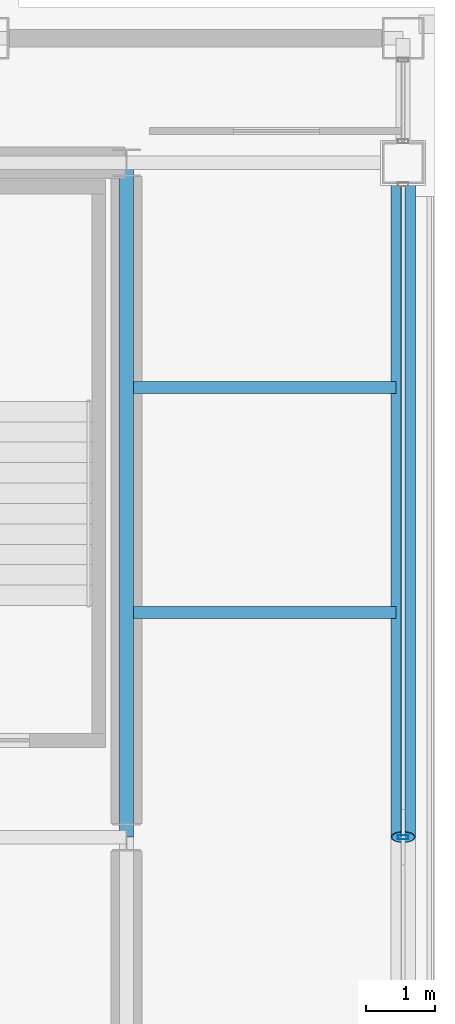
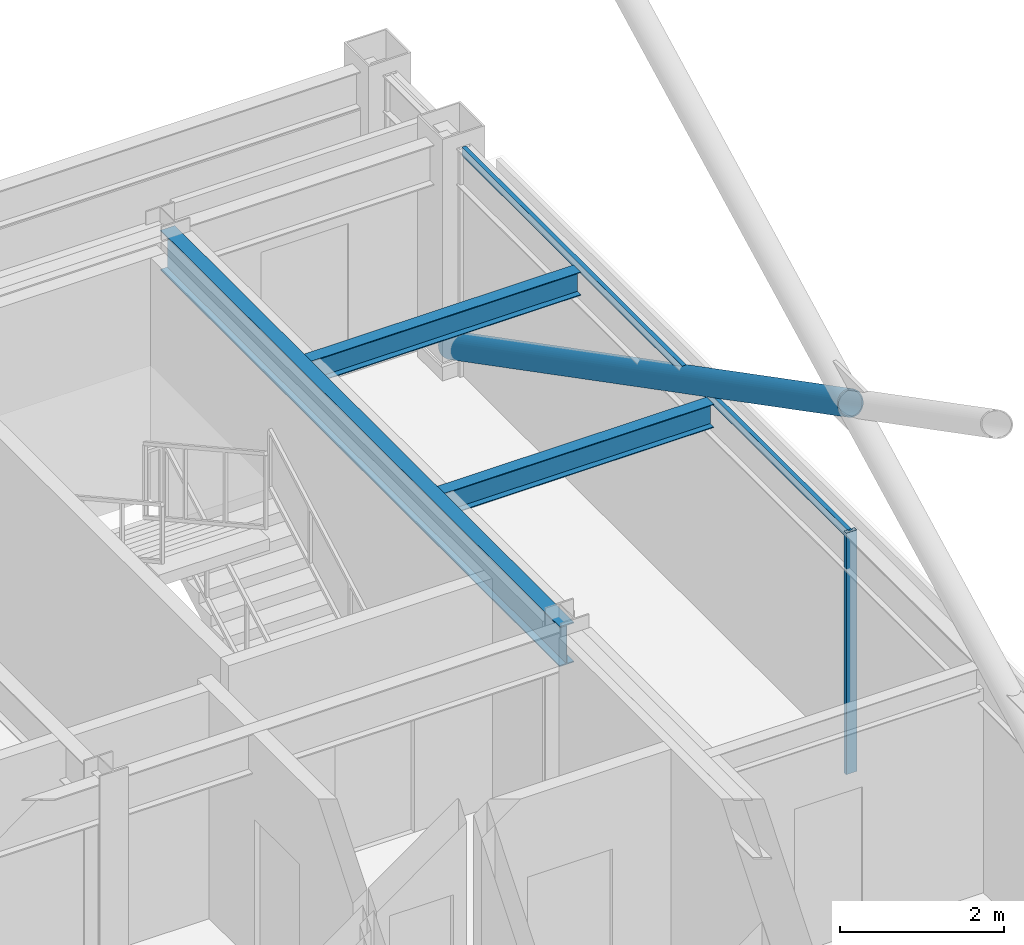
# One storey, part 15 of 27: 3 beams, 3 members, 1 element without a shape of its own.
"""IFC4 building model written with IfcOpenShell, lengths in metres."""

import ifcopenshell
import ifcopenshell.guid

model = None  # the IFC model being written
_history = None  # IfcOwnerHistory: only IFC2X3 demands one
_inside = {}  # id of a spatial element -> (the spatial element, [elements in it])
_under = {}  # id of a project, library or spatial element -> (it, [spatial elements below it])
_declared = {}  # id of a project -> (the project, [libraries it declares])
_typed = {}  # id of a type object -> (the type object, [elements of that type])
_made_of = {}  # id of a material, layer set ... -> (it, [elements and type objects made of it])


def new_model(schema):
    """Start an empty IFC model of exactly this schema.

    Asked for "IFC4X3", IfcOpenShell would pick the latest addendum, in which some entities
    have other attributes; the version numbers below select the first issue.
    IFC2X3 requires an IfcOwnerHistory on every rooted entity: one is made here for all.
    """
    global model, _history
    if schema == "IFC4X3":
        model = ifcopenshell.file(schema_version=(4, 3, 0, 0))
    else:
        model = ifcopenshell.file(schema=schema)
    _inside.clear()
    _under.clear()
    _declared.clear()
    _typed.clear()
    _made_of.clear()
    _history = None
    if model.schema == "IFC2X3":
        org = make("IfcOrganization", Name="unknown")
        user = make(
            "IfcPersonAndOrganization",
            ThePerson=make("IfcPerson", FamilyName="unknown"),
            TheOrganization=org,
        )
        app = make(
            "IfcApplication",
            ApplicationDeveloper=org,
            Version="unknown",
            ApplicationFullName="unknown",
            ApplicationIdentifier="unknown",
        )
        _history = make(
            "IfcOwnerHistory",
            OwningUser=user,
            OwningApplication=app,
            ChangeAction="ADDED",
            CreationDate=0,
        )
    return model


def make(cls, **values):
    """One entity of the class cls with the attributes given. An attribute that is None is left unset."""
    return model.create_entity(
        cls, **{name: value for name, value in values.items() if value is not None}
    )


def rooted(cls, **values):
    """An entity with a GlobalId (a new one), such as an element, a storey or a relation."""
    return make(cls, GlobalId=ifcopenshell.guid.new(), OwnerHistory=_history, **values)


def si_unit(unit_type, name, prefix=None):
    """IfcSIUnit, for example si_unit("LENGTHUNIT", "METRE", prefix="MILLI")."""
    return make("IfcSIUnit", UnitType=unit_type, Prefix=prefix, Name=name)


def assignment(units):
    """IfcUnitAssignment: the units of a project."""
    return None if units is None else make("IfcUnitAssignment", Units=units)


def point(xyz):
    """IfcCartesianPoint."""
    return None if xyz is None else make("IfcCartesianPoint", Coordinates=xyz)


def direction(xyz):
    """IfcDirection."""
    return None if xyz is None else make("IfcDirection", DirectionRatios=xyz)


def frame(location, z_axis=None, x_axis=None):
    """IfcAxis2Placement3D, a coordinate frame: its origin and axes. An axis left out is left unset."""
    return make(
        "IfcAxis2Placement3D",
        Location=point(location),
        Axis=direction(z_axis),
        RefDirection=direction(x_axis),
    )


def frame_2d(location, x_axis=None):
    """IfcAxis2Placement2D, a coordinate frame in the plane: its origin and x axis."""
    return make(
        "IfcAxis2Placement2D", Location=point(location), RefDirection=direction(x_axis)
    )


def origin():
    """The frame at (0, 0, 0) with its axes left unset."""
    return frame((0.0, 0.0, 0.0))


def origin_2d():
    """The frame at (0, 0) in the plane with its x axis left unset."""
    return frame_2d((0.0, 0.0))


def place(relative_to, where):
    """IfcLocalPlacement: puts the frame where relative to a parent placement (None: the world)."""
    return make(
        "IfcLocalPlacement", PlacementRelTo=relative_to, RelativePlacement=where
    )


def context(
    kind, dimensions, precision=None, world=None, true_north=None, identifier=None
):
    """IfcGeometricRepresentationContext, for example the 3D "Model" context."""
    return make(
        "IfcGeometricRepresentationContext",
        ContextIdentifier=identifier,
        ContextType=kind,
        CoordinateSpaceDimension=dimensions,
        Precision=precision,
        WorldCoordinateSystem=world,
        TrueNorth=true_north,
    )


def subcontext(parent, identifier, kind, view, scale=None):
    """IfcGeometricRepresentationSubContext, for example "Body" below "Model"."""
    return make(
        "IfcGeometricRepresentationSubContext",
        ContextIdentifier=identifier,
        ContextType=kind,
        ParentContext=parent,
        TargetScale=scale,
        TargetView=view,
    )


def project(units=None, contexts=None):
    """IfcProject with its units and contexts."""
    return rooted(
        "IfcProject",
        Name="project",
        RepresentationContexts=contexts,
        UnitsInContext=assignment(units),
    )


def spatial(cls, under=None, at=None, **own):
    """A site, building, storey or space (cls), placed at a placement, below another one or the project."""
    s = rooted(cls, ObjectPlacement=at, **own)
    if under is not None:
        _under.setdefault(under.id(), (under, []))[1].append(s)
    return s


def profile(cls, at=None, kind="AREA", **sizes):
    """A parametric profile (cls). Its sizes go by their IFC names, for example OverallWidth=200.0."""
    return make(cls, ProfileType=kind, Position=at, **sizes)


def hollow_rectangle(**sizes):
    """IfcRectangleHollowProfileDef."""
    return profile("IfcRectangleHollowProfileDef", **sizes)


def hollow_circle(**sizes):
    """IfcCircleHollowProfileDef."""
    return profile("IfcCircleHollowProfileDef", **sizes)


def i_section(**sizes):
    """IfcIShapeProfileDef."""
    return profile("IfcIShapeProfileDef", **sizes)


def extrude(swept, where, along, depth):
    """IfcExtrudedAreaSolid: the profile swept, set in the frame where, extruded along a direction by depth."""
    return make(
        "IfcExtrudedAreaSolid",
        SweptArea=swept,
        Position=where,
        ExtrudedDirection=direction(along),
        Depth=depth,
    )


def shape(context_of_items, identifier, shape_type, items):
    """IfcShapeRepresentation: the items that make up one representation, for example the "Body"."""
    return make(
        "IfcShapeRepresentation",
        ContextOfItems=context_of_items,
        RepresentationIdentifier=identifier,
        RepresentationType=shape_type,
        Items=items,
    )


def material(Name=None, Category=None):
    """IfcMaterial."""
    return make("IfcMaterial", Name=Name, Category=Category)


def layer(
    of_material, thickness, ventilated=None, Name=None, Category=None, Priority=None
):
    """IfcMaterialLayer: one layer of a wall or slab, of a material (None: an air gap)."""
    return make(
        "IfcMaterialLayer",
        Material=of_material,
        LayerThickness=thickness,
        IsVentilated=ventilated,
        Name=Name,
        Category=Category,
        Priority=Priority,
    )


def layer_set(layers, Name=None):
    """IfcMaterialLayerSet."""
    return make("IfcMaterialLayerSet", MaterialLayers=layers, LayerSetName=Name)


def material_profile(
    of_material, cross_section, Name=None, Category=None, Priority=None
):
    """IfcMaterialProfile: a cross section and its material."""
    return make(
        "IfcMaterialProfile",
        Name=Name,
        Material=of_material,
        Profile=cross_section,
        Priority=Priority,
        Category=Category,
    )


def profile_set(profiles, Name=None, composite=None):
    """IfcMaterialProfileSet."""
    return make(
        "IfcMaterialProfileSet",
        Name=Name,
        MaterialProfiles=profiles,
        CompositeProfile=composite,
    )


def made_of(thing, what):
    """Note that an element or type object is made of a material, layer set ...; save() writes the relation."""
    if what is not None:
        _made_of.setdefault(what.id(), (what, []))[1].append(thing)
    return thing


def type_object(cls, material=None, **own):
    """A type object (cls), such as IfcWallType, which elements share."""
    return made_of(rooted(cls, **own), material)


def element(
    cls,
    number,
    at=None,
    inside=None,
    cuts=None,
    type_object=None,
    material=None,
    context=None,
    identifier="Body",
    shape_type=None,
    held_by="IfcProductDefinitionShape",
    body=None,
    shapes=None,
    **own,
):
    """One element of the class cls, such as IfcWall. Its Tag is "e" and its number.

    at: its placement. inside: the storey or other place that contains it. cuts: it is an
    opening in that element (IfcRelVoidsElement). A single representation is given by context,
    identifier, shape_type and body (its items); several are given by shapes. held_by: the class
    of the entity that holds the representations. save() writes the other relations.
    """
    e = rooted(cls, Tag="e%d" % number, ObjectPlacement=at, **own)
    if body is not None:
        shapes = [shape(context, identifier, shape_type, body)]
    if shapes is not None:
        e.Representation = make(held_by, Representations=shapes)
    if inside is not None:
        _inside.setdefault(inside.id(), (inside, []))[1].append(e)
    if cuts is not None:
        rooted(
            "IfcRelVoidsElement", RelatingBuildingElement=cuts, RelatedOpeningElement=e
        )
    if type_object is not None:
        _typed.setdefault(type_object.id(), (type_object, []))[1].append(e)
    return made_of(e, material)


def aggregate(whole, parts):
    """IfcRelAggregates: a whole, such as a stair, and the parts it consists of."""
    return rooted("IfcRelAggregates", RelatingObject=whole, RelatedObjects=parts)


def save(model, path):
    """Write the relations noted so far, then the file.

    IfcRelAggregates (storeys below a building ...), IfcRelContainedInSpatialStructure (elements
    in a storey), IfcRelDefinesByType, IfcRelAssociatesMaterial and IfcRelDeclares: one each for
    every whole, place, type object, material and project.
    """
    for whole, parts in _under.values():
        aggregate(whole, parts)
    for where, things in _inside.values():
        rooted(
            "IfcRelContainedInSpatialStructure",
            RelatedElements=things,
            RelatingStructure=where,
        )
    for kind, things in _typed.values():
        rooted("IfcRelDefinesByType", RelatedObjects=things, RelatingType=kind)
    for what, things in _made_of.values():
        rooted("IfcRelAssociatesMaterial", RelatedObjects=things, RelatingMaterial=what)
    for by, libraries in _declared.values():
        rooted("IfcRelDeclares", RelatingContext=by, RelatedDefinitions=libraries)
    model.write(path)


model = new_model("IFC4")

# Units and contexts
model_context = context("Model", 3, precision=1e-05, world=origin(), true_north=direction((0.0, 1.0)))
body_context = subcontext(model_context, "Body", "Model", "MODEL_VIEW")
ifc_project = project(units=[si_unit("LENGTHUNIT", "METRE"), si_unit("AREAUNIT", "SQUARE_METRE"), si_unit("VOLUMEUNIT", "CUBIC_METRE"), si_unit("PLANEANGLEUNIT", "RADIAN"), si_unit("MASSUNIT", "GRAM", prefix="KILO")], contexts=[model_context])

# Site, building, storey
site_placement = place(None, origin())
site = spatial("IfcSite", under=ifc_project, at=site_placement, CompositionType="ELEMENT")
building_placement = place(site_placement, origin())
building = spatial("IfcBuilding", under=site, at=building_placement, Name="Brelmoor Portico Tower", CompositionType="ELEMENT")
storey_placement = place(building_placement, frame((0.0, 0.0, 258.0)))
storey = spatial("IfcBuildingStorey", under=building, at=storey_placement, Name="L68", CompositionType="ELEMENT", Elevation=258.0)

# Beams
ifc_material_1 = material(Name="Steel Q355B", Category="steel")
ifc_material_profile_1 = material_profile(ifc_material_1, i_section(OverallWidth=0.175048828125, OverallDepth=0.35009765625, WebThickness=0.007080078125, FlangeThickness=0.010986328125, at=origin_2d()), Name="HN 350x175x7x11")
ifc_profile_set_1 = profile_set([ifc_material_profile_1], Name="Steel Q355B")
beam_type_1 = type_object("IfcBeamType", Name="BM-JS-350", PredefinedType="JOIST", material=ifc_profile_set_1)
for number, where, z_axis, x_axis, name in (
    (1, (14.64990234375, 3.25, 3.22509765625), (1.0, 0.0, 0.0), (0.0, 1.0, 0.0), "L68 Secondary Wing Joist JS-E13"),
    (2, (14.64990234375, 6.5, 3.22509765625), (1.0, 0.0, 0.0), (0.0, 1.0, 0.0), "L68 Secondary Wing Joist JS-E14"),
):
    element("IfcBeam", number, at=place(storey_placement, frame(where, z_axis=z_axis, x_axis=x_axis)), inside=storey, type_object=beam_type_1, Name=name, PredefinedType="JOIST", context=body_context, shape_type="SweptSolid", body=[
        extrude(i_section(OverallWidth=0.175048828125, OverallDepth=0.35009765625, WebThickness=0.007080078125, FlangeThickness=0.010986328125, at=origin_2d()), origin(), (0.0, 0.0, 1.0), 3.800048828125),
    ])
ifc_material_profile_2 = material_profile(ifc_material_1, i_section(OverallWidth=0.199951171875, OverallDepth=0.60009765625, WebThickness=0.010986328125, FlangeThickness=0.01708984375, at=origin_2d()), Name="HN 600x200x11x17")
ifc_profile_set_2 = profile_set([ifc_material_profile_2], Name="Steel Q355B")
beam_type_2 = type_object("IfcBeamType", Name="BM-PG-600", PredefinedType="BEAM", material=ifc_profile_set_2)
beam_placement = place(storey_placement, frame((14.550048828125, 0.0, 3.10009765625), z_axis=(0.0, 1.0, 0.0), x_axis=(-1.0, 0.0, 0.0)))
element("IfcBeam", 3, at=beam_placement, inside=storey, type_object=beam_type_2, Name="L68 Primary Floor Girder PG-10", PredefinedType="BEAM", context=body_context, shape_type="SweptSolid", body=[
    extrude(i_section(OverallWidth=0.199951171875, OverallDepth=0.60009765625, WebThickness=0.010986328125, FlangeThickness=0.01708984375, at=origin_2d()), origin(), (0.0, 0.0, 1.0), 9.75),
])

# Member
ifc_material_profile_3 = material_profile(ifc_material_1, hollow_circle(Radius=0.177978515625, WallThickness=0.01611328125, at=origin_2d()), Name="CHS 356x16")
ifc_profile_set_3 = profile_set([ifc_material_profile_3], Name="Steel Q355B")
member_type_1 = type_object("IfcMemberType", Name="MB-BELT-DIAG2", PredefinedType="BRACE", material=ifc_profile_set_3)
member_1_placement = place(storey_placement, frame((18.550048828125, 9.75, 0.25), z_axis=(0.0, -0.887959386012, 0.459921872488), x_axis=(1.0, 0.0, 0.0)))
element("IfcMember", 4, at=member_1_placement, inside=storey, type_object=member_type_1, Name="L68 Split Mega-X Brace 154B1", PredefinedType="BRACE", context=body_context, shape_type="SweptSolid", body=[
    extrude(hollow_circle(Radius=0.177978515625, WallThickness=0.01611328125, at=origin_2d()), origin(), (0.0, 0.0, 1.0), 10.980224609375),
])

# Curtain wall, members
ifc_material_2 = material(Name="Anodised Aluminium Alloy 6063-T6", Category="aluminium")
ifc_layer = layer(ifc_material_2, 0.179931640625)
ifc_layer_set = layer_set([ifc_layer], Name="Anodised Aluminium Alloy 6063-T6")
curtain_wall_type = type_object("IfcCurtainWallType", Name="CW-TOWER-Z4-XB", PredefinedType="NOTDEFINED", material=ifc_layer_set)
curtain_wall_placement = place(storey_placement, origin())
curtain_wall = element("IfcCurtainWall", 5, at=curtain_wall_placement, inside=storey, type_object=curtain_wall_type, Name="L68 Curtain Wall CW-L68-04-2", PredefinedType="NOTDEFINED")
ifc_material_profile_4 = material_profile(ifc_material_2, hollow_rectangle(XDim=0.06005859375, YDim=0.14990234375, WallThickness=0.00390625, at=origin_2d()), Name="ALU MULLION 60x150")
ifc_profile_set_4 = profile_set([ifc_material_profile_4], Name="Anodised Aluminium Alloy 6063-T6")
member_type_2 = type_object("IfcMemberType", Name="MB-CW-MULL-150", PredefinedType="MULLION", material=ifc_profile_set_4)
member_2_placement = place(storey_placement, frame((18.550048828125, 0.0, -0.199951171875), z_axis=(0.0, 0.0, 1.0), x_axis=(0.0, 1.0, 0.0)))
member_2 = element("IfcMember", 6, at=member_2_placement, type_object=member_type_2, Name="CW-L68-04-2 Mullion 01", PredefinedType="MULLION", context=body_context, shape_type="SweptSolid", body=[
    extrude(hollow_rectangle(XDim=0.06005859375, YDim=0.14990234375, WallThickness=0.00390625, at=origin_2d()), origin(), (0.0, 0.0, 1.0), 3.599853515625),
])
ifc_material_profile_5 = material_profile(ifc_material_2, hollow_rectangle(XDim=0.06005859375, YDim=0.125, WallThickness=0.00341796875, at=origin_2d()), Name="ALU TRANSOM 60x125")
ifc_profile_set_5 = profile_set([ifc_material_profile_5], Name="Anodised Aluminium Alloy 6063-T6")
member_type_3 = type_object("IfcMemberType", Name="MB-CW-TRAN-125", PredefinedType="USERDEFINED", material=ifc_profile_set_5)
member_3_placement = place(storey_placement, frame((18.550048828125, 0.0, 3.33740234375), z_axis=(0.0, 1.0, 0.0), x_axis=(-1.0, 0.0, 0.0)))
member_3 = element("IfcMember", 7, at=member_3_placement, type_object=member_type_3, Name="CW-L68-04-2 Transom 1-01", ObjectType="TRANSOM", PredefinedType="USERDEFINED", context=body_context, shape_type="SweptSolid", body=[
    extrude(hollow_rectangle(XDim=0.06005859375, YDim=0.125, WallThickness=0.00341796875, at=origin_2d()), origin(), (0.0, 0.0, 1.0), 9.43994140625),
])
aggregate(curtain_wall, [member_2, member_3])

save(model, "model.ifc")
